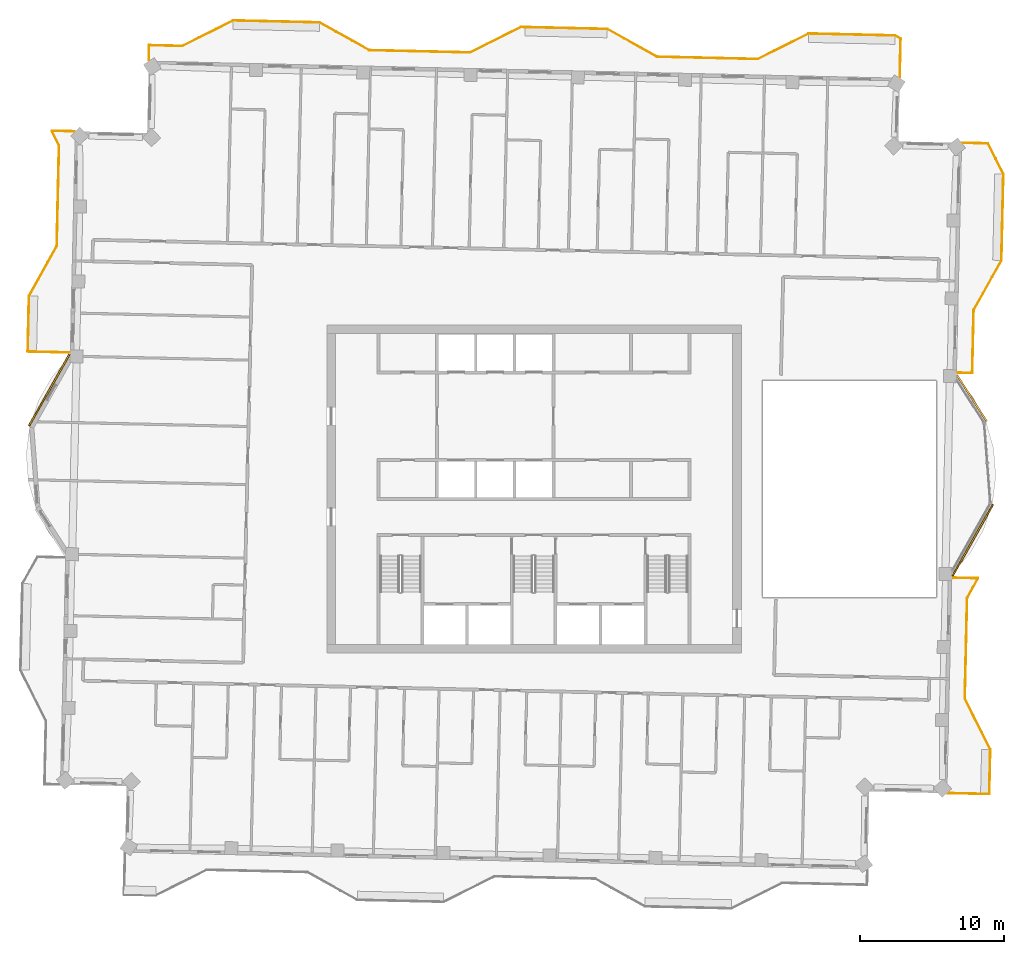
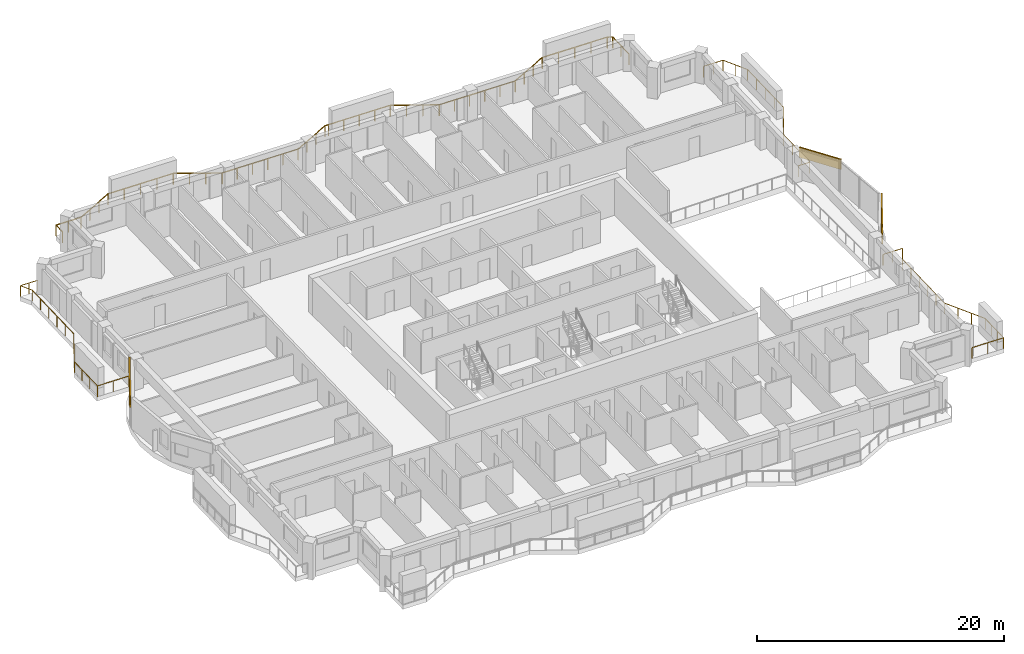
# One storey, part 15 of 15: 4 railings, 3 coverings.
"""IFC4 building model written with IfcOpenShell, lengths in metres."""

from ifc_helpers import new_model, si_unit, direction, frame, frame_2d, origin, origin_2d, place, context, subcontext, project, spatial, rectangle, extrude, material, layer, layer_set, type_object, element, save


model = new_model("IFC4")

# Units and contexts
model_context = context("Model", 3, precision=1e-05, world=origin(), true_north=direction((0.0, 1.0)))
body_context = subcontext(model_context, "Body", "Model", "MODEL_VIEW")
ifc_project = project(units=[si_unit("LENGTHUNIT", "METRE"), si_unit("AREAUNIT", "SQUARE_METRE"), si_unit("VOLUMEUNIT", "CUBIC_METRE"), si_unit("PLANEANGLEUNIT", "RADIAN"), si_unit("MASSUNIT", "GRAM", prefix="KILO")], contexts=[model_context])

# Site, building, storey
site_placement = place(None, origin())
site = spatial("IfcSite", under=ifc_project, at=site_placement, CompositionType="ELEMENT")
building_placement = place(site_placement, origin())
building = spatial("IfcBuilding", under=site, at=building_placement, Name="Mangrove Gate Tower", CompositionType="ELEMENT")
storey_placement = place(building_placement, frame((0.0, 0.0, 309.699951171875)))
storey = spatial("IfcBuildingStorey", under=building, at=storey_placement, Name="L79", CompositionType="ELEMENT", Elevation=309.699951171875)

# Railings
ifc_material_1 = material(Name="Stainless steel grade 316 with laminated glass infill", Category="steel")
railing_type = type_object("IfcRailingType", Name="Balcony guard 1100", PredefinedType="GUARDRAIL", material=ifc_material_1)
railing_1_placement = place(storey_placement, frame((28.73095703125, -21.14404296875, 0.0)))
element("IfcRailing", 1, at=railing_1_placement, inside=storey, type_object=railing_type, Name="GUARD L79 E1", PredefinedType="GUARDRAIL", context=body_context, shape_type="SweptSolid", body=[
    extrude(rectangle(XDim=0.048095703125, YDim=0.048095703125, at=origin_2d()), frame((0.0, 0.0, 1.076171875), z_axis=(0.999743349437, -0.022654696127, 0.0), x_axis=(0.022654696127, 0.999743349437, 0.0)), (0.0, 0.0, 1.0), 2.90966796875),
    extrude(rectangle(XDim=0.048095703125, YDim=0.048095703125, at=origin_2d()), frame((2.908935546875, -0.06591796875, 1.076171875), z_axis=(0.022605110173, 0.99974447185, 0.0), x_axis=(-0.99974447185, 0.022605110173, 0.0)), (0.0, 0.0, 1.0), 3.099609375),
    extrude(rectangle(XDim=0.048095703125, YDim=0.048095703125, at=origin_2d()), frame((2.97900390625, 3.032958984375, 1.076171875), z_axis=(-0.447114919141, 0.894476522376, 0.0), x_axis=(-0.894476522376, -0.447114919141, 0.0)), (0.0, 0.0, 1.0), 3.958740234375),
    extrude(rectangle(XDim=0.048095703125, YDim=0.048095703125, at=origin_2d()), frame((1.208984375, 6.573974609375, 1.076171875), z_axis=(0.022737248567, 0.999741475346, 0.0), x_axis=(-0.999741475346, 0.022737248567, 0.0)), (0.0, 0.0, 1.0), 7.000732421875),
    extrude(rectangle(XDim=0.048095703125, YDim=0.048095703125, at=origin_2d()), frame((1.3681640625, 13.572998046875, 1.076171875), z_axis=(0.487588976065, 0.873073301859, 0.0), x_axis=(-0.873073301859, 0.487588976065, 0.0)), (0.0, 0.0, 1.0), 1.55419921875),
    extrude(rectangle(XDim=0.048095703125, YDim=0.048095703125, at=origin_2d()), frame((2.1259765625, 14.929931640625, 1.076171875), z_axis=(-0.999736662021, 0.02294791081, 0.0), x_axis=(-0.02294791081, -0.999736662021, 0.0)), (0.0, 0.0, 1.0), 1.787353515625),
    extrude(rectangle(XDim=0.0419921875, YDim=0.0419921875, at=origin_2d()), origin(), (0.0, 0.0, 1.0), 1.052001953125),
    extrude(rectangle(XDim=0.0419921875, YDim=0.0419921875, at=origin_2d()), frame((1.45458984375, -0.032958984375, 0.0)), (0.0, 0.0, 1.0), 1.052001953125),
    extrude(rectangle(XDim=0.0419921875, YDim=0.0419921875, at=origin_2d()), frame((2.908935546875, -0.06591796875, 0.0)), (0.0, 0.0, 1.0), 1.052001953125),
    extrude(rectangle(XDim=0.0419921875, YDim=0.0419921875, at=origin_2d()), frame((2.932373046875, 0.967041015625, 0.0)), (0.0, 0.0, 1.0), 1.052001953125),
    extrude(rectangle(XDim=0.0419921875, YDim=0.0419921875, at=origin_2d()), frame((2.95556640625, 2.0, 0.0)), (0.0, 0.0, 1.0), 1.052001953125),
    extrude(rectangle(XDim=0.0419921875, YDim=0.0419921875, at=origin_2d()), frame((2.97900390625, 3.032958984375, 0.0)), (0.0, 0.0, 1.0), 1.052001953125),
    extrude(rectangle(XDim=0.0419921875, YDim=0.0419921875, at=origin_2d()), frame((2.388916015625, 4.21337890625, 0.0)), (0.0, 0.0, 1.0), 1.052001953125),
    extrude(rectangle(XDim=0.0419921875, YDim=0.0419921875, at=origin_2d()), frame((1.799072265625, 5.3935546875, 0.0)), (0.0, 0.0, 1.0), 1.052001953125),
    extrude(rectangle(XDim=0.0419921875, YDim=0.0419921875, at=origin_2d()), frame((1.208984375, 6.573974609375, 0.0)), (0.0, 0.0, 1.0), 1.052001953125),
    extrude(rectangle(XDim=0.0419921875, YDim=0.0419921875, at=origin_2d()), frame((1.24072265625, 7.973876953125, 0.0)), (0.0, 0.0, 1.0), 1.052001953125),
    extrude(rectangle(XDim=0.0419921875, YDim=0.0419921875, at=origin_2d()), frame((1.272705078125, 9.37353515625, 0.0)), (0.0, 0.0, 1.0), 1.052001953125),
    extrude(rectangle(XDim=0.0419921875, YDim=0.0419921875, at=origin_2d()), frame((1.304443359375, 10.7734375, 0.0)), (0.0, 0.0, 1.0), 1.052001953125),
    extrude(rectangle(XDim=0.0419921875, YDim=0.0419921875, at=origin_2d()), frame((1.33642578125, 12.173095703125, 0.0)), (0.0, 0.0, 1.0), 1.052001953125),
    extrude(rectangle(XDim=0.0419921875, YDim=0.0419921875, at=origin_2d()), frame((1.3681640625, 13.572998046875, 0.0)), (0.0, 0.0, 1.0), 1.052001953125),
    extrude(rectangle(XDim=0.0419921875, YDim=0.0419921875, at=origin_2d()), frame((1.7470703125, 14.25146484375, 0.0)), (0.0, 0.0, 1.0), 1.052001953125),
    extrude(rectangle(XDim=0.0419921875, YDim=0.0419921875, at=origin_2d()), frame((2.1259765625, 14.929931640625, 0.0)), (0.0, 0.0, 1.0), 1.052001953125),
    extrude(rectangle(XDim=0.0419921875, YDim=0.0419921875, at=origin_2d()), frame((1.232421875, 14.950439453125, 0.0)), (0.0, 0.0, 1.0), 1.052001953125),
    extrude(rectangle(XDim=0.0419921875, YDim=0.0419921875, at=origin_2d()), frame((0.339111328125, 14.970947265625, 0.0)), (0.0, 0.0, 1.0), 1.052001953125),
])
railing_2_placement = place(storey_placement, frame((29.39404296875, 8.073974609375, 0.0)))
element("IfcRailing", 2, at=railing_2_placement, inside=storey, type_object=railing_type, Name="GUARD L79 E2", PredefinedType="GUARDRAIL", context=body_context, shape_type="SweptSolid", body=[
    extrude(rectangle(XDim=0.048095703125, YDim=0.048095703125, at=origin_2d()), frame((0.0, 0.0, 1.076171875), z_axis=(0.999744802133, -0.022590498181, 0.0), x_axis=(0.022590498181, 0.999744802133, 0.0)), (0.0, 0.0, 1.0), 1.05908203125),
    extrude(rectangle(XDim=0.048095703125, YDim=0.048095703125, at=origin_2d()), frame((1.058837890625, -0.02392578125, 1.076171875), z_axis=(0.022883688867, 0.999738134105, 0.0), x_axis=(-0.999738134105, 0.022883688867, 0.0)), (0.0, 0.0, 1.0), 4.374267578125),
    extrude(rectangle(XDim=0.048095703125, YDim=0.048095703125, at=origin_2d()), frame((1.158935546875, 4.34912109375, 1.076171875), z_axis=(0.487155136876, 0.873315448515, 0.0), x_axis=(-0.873315448515, 0.487155136876, 0.0)), (0.0, 0.0, 1.0), 3.959716796875),
    extrude(rectangle(XDim=0.048095703125, YDim=0.048095703125, at=origin_2d()), frame((3.087890625, 7.80712890625, 1.076171875), z_axis=(0.022666865795, 0.999743073592, 0.0), x_axis=(-0.999743073592, 0.022666865795, 0.0)), (0.0, 0.0, 1.0), 5.999267578125),
    extrude(rectangle(XDim=0.048095703125, YDim=0.048095703125, at=origin_2d()), frame((3.223876953125, 13.804931640625, 1.076171875), z_axis=(-0.447049156069, 0.894509391822, 0.0), x_axis=(-0.894509391822, -0.447049156069, 0.0)), (0.0, 0.0, 1.0), 2.37548828125),
    extrude(rectangle(XDim=0.048095703125, YDim=0.048095703125, at=origin_2d()), frame((2.161865234375, 15.929931640625, 1.076171875), z_axis=(-0.999752642043, 0.022240834685, 0.0), x_axis=(-0.022240834685, -0.999752642043, 0.0)), (0.0, 0.0, 1.0), 1.80029296875),
    extrude(rectangle(XDim=0.0419921875, YDim=0.0419921875, at=origin_2d()), origin(), (0.0, 0.0, 1.0), 1.052001953125),
    extrude(rectangle(XDim=0.0419921875, YDim=0.0419921875, at=origin_2d()), frame((1.058837890625, -0.02392578125, 0.0)), (0.0, 0.0, 1.0), 1.052001953125),
    extrude(rectangle(XDim=0.0419921875, YDim=0.0419921875, at=origin_2d()), frame((1.09228515625, 1.433837890625, 0.0)), (0.0, 0.0, 1.0), 1.052001953125),
    extrude(rectangle(XDim=0.0419921875, YDim=0.0419921875, at=origin_2d()), frame((1.12548828125, 2.891357421875, 0.0)), (0.0, 0.0, 1.0), 1.052001953125),
    extrude(rectangle(XDim=0.0419921875, YDim=0.0419921875, at=origin_2d()), frame((1.158935546875, 4.34912109375, 0.0)), (0.0, 0.0, 1.0), 1.052001953125),
    extrude(rectangle(XDim=0.0419921875, YDim=0.0419921875, at=origin_2d()), frame((1.802001953125, 5.501708984375, 0.0)), (0.0, 0.0, 1.0), 1.052001953125),
    extrude(rectangle(XDim=0.0419921875, YDim=0.0419921875, at=origin_2d()), frame((2.44482421875, 6.654541015625, 0.0)), (0.0, 0.0, 1.0), 1.052001953125),
    extrude(rectangle(XDim=0.0419921875, YDim=0.0419921875, at=origin_2d()), frame((3.087890625, 7.80712890625, 0.0)), (0.0, 0.0, 1.0), 1.052001953125),
    extrude(rectangle(XDim=0.0419921875, YDim=0.0419921875, at=origin_2d()), frame((3.121826171875, 9.306640625, 0.0)), (0.0, 0.0, 1.0), 1.052001953125),
    extrude(rectangle(XDim=0.0419921875, YDim=0.0419921875, at=origin_2d()), frame((3.15576171875, 10.80615234375, 0.0)), (0.0, 0.0, 1.0), 1.052001953125),
    extrude(rectangle(XDim=0.0419921875, YDim=0.0419921875, at=origin_2d()), frame((3.18994140625, 12.305419921875, 0.0)), (0.0, 0.0, 1.0), 1.052001953125),
    extrude(rectangle(XDim=0.0419921875, YDim=0.0419921875, at=origin_2d()), frame((3.223876953125, 13.804931640625, 0.0)), (0.0, 0.0, 1.0), 1.052001953125),
    extrude(rectangle(XDim=0.0419921875, YDim=0.0419921875, at=origin_2d()), frame((2.69287109375, 14.867431640625, 0.0)), (0.0, 0.0, 1.0), 1.052001953125),
    extrude(rectangle(XDim=0.0419921875, YDim=0.0419921875, at=origin_2d()), frame((2.161865234375, 15.929931640625, 0.0)), (0.0, 0.0, 1.0), 1.052001953125),
    extrude(rectangle(XDim=0.0419921875, YDim=0.0419921875, at=origin_2d()), frame((1.261962890625, 15.949951171875, 0.0)), (0.0, 0.0, 1.0), 1.052001953125),
    extrude(rectangle(XDim=0.0419921875, YDim=0.0419921875, at=origin_2d()), frame((0.362060546875, 15.969970703125, 0.0)), (0.0, 0.0, 1.0), 1.052001953125),
])
railing_3_placement = place(storey_placement, frame((25.41796875, 28.583984375, 0.0)))
element("IfcRailing", 3, at=railing_3_placement, inside=storey, type_object=railing_type, Name="GUARD L79 N1", PredefinedType="GUARDRAIL", context=body_context, shape_type="SweptSolid", body=[
    extrude(rectangle(XDim=0.048095703125, YDim=0.048095703125, at=origin_2d()), frame((0.0, 0.0, 1.076171875), z_axis=(0.022616600579, 0.999744211975, 0.0), x_axis=(-0.999744211975, 0.022616600579, 0.0)), (0.0, 0.0, 1.0), 2.69873046875),
    extrude(rectangle(XDim=0.048095703125, YDim=0.048095703125, at=origin_2d()), frame((0.06103515625, 2.697998046875, 1.076171875), z_axis=(-0.873672905931, 0.486513775182, 0.0), x_axis=(-0.486513775182, -0.873672905931, 0.0)), (0.0, 0.0, 1.0), 0.4521484375),
    extrude(rectangle(XDim=0.048095703125, YDim=0.048095703125, at=origin_2d()), frame((-0.333984375, 2.91796875, 1.076171875), z_axis=(-0.999743094499, 0.022665943652, 0.0), x_axis=(-0.022665943652, -0.999743094499, 0.0)), (0.0, 0.0, 1.0), 5.99951171875),
    extrude(rectangle(XDim=0.048095703125, YDim=0.048095703125, at=origin_2d()), frame((-6.33203125, 3.053955078125, 1.076171875), z_axis=(-0.894476522376, -0.447114919141, 0.0), x_axis=(0.447114919141, -0.894476522376, 0.0)), (0.0, 0.0, 1.0), 3.958740234375),
    extrude(rectangle(XDim=0.048095703125, YDim=0.048095703125, at=origin_2d()), frame((-9.873046875, 1.283935546875, 1.076171875), z_axis=(-0.999741475346, 0.022737248567, 0.0), x_axis=(-0.022737248567, -0.999741475346, 0.0)), (0.0, 0.0, 1.0), 7.000732421875),
    extrude(rectangle(XDim=0.048095703125, YDim=0.048095703125, at=origin_2d()), frame((-16.8720703125, 1.443115234375, 1.076171875), z_axis=(-0.873242256246, 0.487286324359, 0.0), x_axis=(-0.487286324359, -0.873242256246, 0.0)), (0.0, 0.0, 1.0), 3.95849609375),
    extrude(rectangle(XDim=0.048095703125, YDim=0.048095703125, at=origin_2d()), frame((-20.328857421875, 3.3720703125, 1.076171875), z_axis=(-0.999744196375, 0.022617290187, 0.0), x_axis=(-0.022617290187, -0.999744196375, 0.0)), (0.0, 0.0, 1.0), 5.699462890625),
    extrude(rectangle(XDim=0.048095703125, YDim=0.048095703125, at=origin_2d()), frame((-26.02685546875, 3.5009765625, 1.076171875), z_axis=(-0.999721720687, 0.023589853458, 0.0), x_axis=(-0.023589853458, -0.999721720687, 0.0)), (0.0, 0.0, 1.0), 0.300048828125),
    extrude(rectangle(XDim=0.048095703125, YDim=0.048095703125, at=origin_2d()), frame((-26.326904296875, 3.508056640625, 1.076171875), z_axis=(-0.894476522376, -0.447114919141, 0.0), x_axis=(0.447114919141, -0.894476522376, 0.0)), (0.0, 0.0, 1.0), 3.958740234375),
    extrude(rectangle(XDim=0.048095703125, YDim=0.048095703125, at=origin_2d()), frame((-29.867919921875, 1.738037109375, 1.076171875), z_axis=(-0.999742267452, 0.022702393474, 0.0), x_axis=(-0.022702393474, -0.999742267452, 0.0)), (0.0, 0.0, 1.0), 7.000732421875),
    extrude(rectangle(XDim=0.048095703125, YDim=0.048095703125, at=origin_2d()), frame((-36.866943359375, 1.89697265625, 1.076171875), z_axis=(-0.87325689943, 0.48726008209, 0.0), x_axis=(-0.48726008209, -0.87325689943, 0.0)), (0.0, 0.0, 1.0), 3.958740234375),
    extrude(rectangle(XDim=0.048095703125, YDim=0.048095703125, at=origin_2d()), frame((-40.323974609375, 3.825927734375, 1.076171875), z_axis=(-0.999743094499, 0.022665943652, 0.0), x_axis=(-0.022665943652, -0.999743094499, 0.0)), (0.0, 0.0, 1.0), 5.99951171875),
    extrude(rectangle(XDim=0.048095703125, YDim=0.048095703125, at=origin_2d()), frame((-46.322021484375, 3.9619140625, 1.076171875), z_axis=(-0.894476522376, -0.447114919141, 0.0), x_axis=(0.447114919141, -0.894476522376, 0.0)), (0.0, 0.0, 1.0), 3.958740234375),
    extrude(rectangle(XDim=0.048095703125, YDim=0.048095703125, at=origin_2d()), frame((-49.863037109375, 2.19189453125, 1.076171875), z_axis=(-0.999744513037, 0.022603288534, 0.0), x_axis=(-0.022603288534, -0.999744513037, 0.0)), (0.0, 0.0, 1.0), 2.300537109375),
    extrude(rectangle(XDim=0.048095703125, YDim=0.048095703125, at=origin_2d()), frame((-52.1630859375, 2.243896484375, 1.076171875), z_axis=(-0.021648921828, -0.999765634628, 0.0), x_axis=(0.999765634628, -0.021648921828, 0.0)), (0.0, 0.0, 1.0), 1.06005859375),
    extrude(rectangle(XDim=0.0419921875, YDim=0.0419921875, at=origin_2d()), origin(), (0.0, 0.0, 1.0), 1.052001953125),
    extrude(rectangle(XDim=0.0419921875, YDim=0.0419921875, at=origin_2d()), frame((0.030517578125, 1.34912109375, 0.0)), (0.0, 0.0, 1.0), 1.052001953125),
    extrude(rectangle(XDim=0.0419921875, YDim=0.0419921875, at=origin_2d()), frame((0.06103515625, 2.697998046875, 0.0)), (0.0, 0.0, 1.0), 1.052001953125),
    extrude(rectangle(XDim=0.0419921875, YDim=0.0419921875, at=origin_2d()), frame((-0.333984375, 2.91796875, 0.0)), (0.0, 0.0, 1.0), 1.052001953125),
    extrude(rectangle(XDim=0.0419921875, YDim=0.0419921875, at=origin_2d()), frame((-1.83349609375, 2.951904296875, 0.0)), (0.0, 0.0, 1.0), 1.052001953125),
    extrude(rectangle(XDim=0.0419921875, YDim=0.0419921875, at=origin_2d()), frame((-3.3330078125, 2.98583984375, 0.0)), (0.0, 0.0, 1.0), 1.052001953125),
    extrude(rectangle(XDim=0.0419921875, YDim=0.0419921875, at=origin_2d()), frame((-4.83251953125, 3.02001953125, 0.0)), (0.0, 0.0, 1.0), 1.052001953125),
    extrude(rectangle(XDim=0.0419921875, YDim=0.0419921875, at=origin_2d()), frame((-6.33203125, 3.053955078125, 0.0)), (0.0, 0.0, 1.0), 1.052001953125),
    extrude(rectangle(XDim=0.0419921875, YDim=0.0419921875, at=origin_2d()), frame((-7.512451171875, 2.4638671875, 0.0)), (0.0, 0.0, 1.0), 1.052001953125),
    extrude(rectangle(XDim=0.0419921875, YDim=0.0419921875, at=origin_2d()), frame((-8.692626953125, 1.8740234375, 0.0)), (0.0, 0.0, 1.0), 1.052001953125),
    extrude(rectangle(XDim=0.0419921875, YDim=0.0419921875, at=origin_2d()), frame((-9.873046875, 1.283935546875, 0.0)), (0.0, 0.0, 1.0), 1.052001953125),
    extrude(rectangle(XDim=0.0419921875, YDim=0.0419921875, at=origin_2d()), frame((-11.27294921875, 1.315673828125, 0.0)), (0.0, 0.0, 1.0), 1.052001953125),
    extrude(rectangle(XDim=0.0419921875, YDim=0.0419921875, at=origin_2d()), frame((-12.672607421875, 1.34765625, 0.0)), (0.0, 0.0, 1.0), 1.052001953125),
    extrude(rectangle(XDim=0.0419921875, YDim=0.0419921875, at=origin_2d()), frame((-14.072509765625, 1.37939453125, 0.0)), (0.0, 0.0, 1.0), 1.052001953125),
    extrude(rectangle(XDim=0.0419921875, YDim=0.0419921875, at=origin_2d()), frame((-15.47216796875, 1.411376953125, 0.0)), (0.0, 0.0, 1.0), 1.052001953125),
    extrude(rectangle(XDim=0.0419921875, YDim=0.0419921875, at=origin_2d()), frame((-16.8720703125, 1.443115234375, 0.0)), (0.0, 0.0, 1.0), 1.052001953125),
    extrude(rectangle(XDim=0.0419921875, YDim=0.0419921875, at=origin_2d()), frame((-18.0244140625, 2.086181640625, 0.0)), (0.0, 0.0, 1.0), 1.052001953125),
    extrude(rectangle(XDim=0.0419921875, YDim=0.0419921875, at=origin_2d()), frame((-19.176513671875, 2.72900390625, 0.0)), (0.0, 0.0, 1.0), 1.052001953125),
    extrude(rectangle(XDim=0.0419921875, YDim=0.0419921875, at=origin_2d()), frame((-20.328857421875, 3.3720703125, 0.0)), (0.0, 0.0, 1.0), 1.052001953125),
    extrude(rectangle(XDim=0.0419921875, YDim=0.0419921875, at=origin_2d()), frame((-21.75341796875, 3.404296875, 0.0)), (0.0, 0.0, 1.0), 1.052001953125),
    extrude(rectangle(XDim=0.0419921875, YDim=0.0419921875, at=origin_2d()), frame((-23.177734375, 3.4365234375, 0.0)), (0.0, 0.0, 1.0), 1.052001953125),
    extrude(rectangle(XDim=0.0419921875, YDim=0.0419921875, at=origin_2d()), frame((-24.602294921875, 3.46875, 0.0)), (0.0, 0.0, 1.0), 1.052001953125),
    extrude(rectangle(XDim=0.0419921875, YDim=0.0419921875, at=origin_2d()), frame((-26.02685546875, 3.5009765625, 0.0)), (0.0, 0.0, 1.0), 1.052001953125),
    extrude(rectangle(XDim=0.0419921875, YDim=0.0419921875, at=origin_2d()), frame((-26.326904296875, 3.508056640625, 0.0)), (0.0, 0.0, 1.0), 1.052001953125),
    extrude(rectangle(XDim=0.0419921875, YDim=0.0419921875, at=origin_2d()), frame((-27.50732421875, 2.91796875, 0.0)), (0.0, 0.0, 1.0), 1.052001953125),
    extrude(rectangle(XDim=0.0419921875, YDim=0.0419921875, at=origin_2d()), frame((-28.6875, 2.328125, 0.0)), (0.0, 0.0, 1.0), 1.052001953125),
    extrude(rectangle(XDim=0.0419921875, YDim=0.0419921875, at=origin_2d()), frame((-29.867919921875, 1.738037109375, 0.0)), (0.0, 0.0, 1.0), 1.052001953125),
    extrude(rectangle(XDim=0.0419921875, YDim=0.0419921875, at=origin_2d()), frame((-31.267822265625, 1.769775390625, 0.0)), (0.0, 0.0, 1.0), 1.052001953125),
    extrude(rectangle(XDim=0.0419921875, YDim=0.0419921875, at=origin_2d()), frame((-32.66748046875, 1.801513671875, 0.0)), (0.0, 0.0, 1.0), 1.052001953125),
    extrude(rectangle(XDim=0.0419921875, YDim=0.0419921875, at=origin_2d()), frame((-34.0673828125, 1.83349609375, 0.0)), (0.0, 0.0, 1.0), 1.052001953125),
    extrude(rectangle(XDim=0.0419921875, YDim=0.0419921875, at=origin_2d()), frame((-35.467041015625, 1.865234375, 0.0)), (0.0, 0.0, 1.0), 1.052001953125),
    extrude(rectangle(XDim=0.0419921875, YDim=0.0419921875, at=origin_2d()), frame((-36.866943359375, 1.89697265625, 0.0)), (0.0, 0.0, 1.0), 1.052001953125),
    extrude(rectangle(XDim=0.0419921875, YDim=0.0419921875, at=origin_2d()), frame((-38.019287109375, 2.5400390625, 0.0)), (0.0, 0.0, 1.0), 1.052001953125),
    extrude(rectangle(XDim=0.0419921875, YDim=0.0419921875, at=origin_2d()), frame((-39.171630859375, 3.182861328125, 0.0)), (0.0, 0.0, 1.0), 1.052001953125),
    extrude(rectangle(XDim=0.0419921875, YDim=0.0419921875, at=origin_2d()), frame((-40.323974609375, 3.825927734375, 0.0)), (0.0, 0.0, 1.0), 1.052001953125),
    extrude(rectangle(XDim=0.0419921875, YDim=0.0419921875, at=origin_2d()), frame((-41.823486328125, 3.85986328125, 0.0)), (0.0, 0.0, 1.0), 1.052001953125),
    extrude(rectangle(XDim=0.0419921875, YDim=0.0419921875, at=origin_2d()), frame((-43.322998046875, 3.89404296875, 0.0)), (0.0, 0.0, 1.0), 1.052001953125),
    extrude(rectangle(XDim=0.0419921875, YDim=0.0419921875, at=origin_2d()), frame((-44.822509765625, 3.927978515625, 0.0)), (0.0, 0.0, 1.0), 1.052001953125),
    extrude(rectangle(XDim=0.0419921875, YDim=0.0419921875, at=origin_2d()), frame((-46.322021484375, 3.9619140625, 0.0)), (0.0, 0.0, 1.0), 1.052001953125),
    extrude(rectangle(XDim=0.0419921875, YDim=0.0419921875, at=origin_2d()), frame((-47.50244140625, 3.371826171875, 0.0)), (0.0, 0.0, 1.0), 1.052001953125),
    extrude(rectangle(XDim=0.0419921875, YDim=0.0419921875, at=origin_2d()), frame((-48.6826171875, 2.781982421875, 0.0)), (0.0, 0.0, 1.0), 1.052001953125),
    extrude(rectangle(XDim=0.0419921875, YDim=0.0419921875, at=origin_2d()), frame((-49.863037109375, 2.19189453125, 0.0)), (0.0, 0.0, 1.0), 1.052001953125),
    extrude(rectangle(XDim=0.0419921875, YDim=0.0419921875, at=origin_2d()), frame((-51.01318359375, 2.2177734375, 0.0)), (0.0, 0.0, 1.0), 1.052001953125),
    extrude(rectangle(XDim=0.0419921875, YDim=0.0419921875, at=origin_2d()), frame((-52.1630859375, 2.243896484375, 0.0)), (0.0, 0.0, 1.0), 1.052001953125),
    extrude(rectangle(XDim=0.0419921875, YDim=0.0419921875, at=origin_2d()), frame((-52.18603515625, 1.18408203125, 0.0)), (0.0, 0.0, 1.0), 1.052001953125),
])
railing_4_placement = place(storey_placement, frame((-31.922119140625, 24.843994140625, 0.0)))
element("IfcRailing", 4, at=railing_4_placement, inside=storey, type_object=railing_type, Name="GUARD L79 W1", PredefinedType="GUARDRAIL", context=body_context, shape_type="SweptSolid", body=[
    extrude(rectangle(XDim=0.048095703125, YDim=0.048095703125, at=origin_2d()), frame((0.0, 0.0, 1.076171875), z_axis=(-0.999744684453, 0.022595705507, 0.0), x_axis=(-0.022595705507, -0.999744684453, 0.0)), (0.0, 0.0, 1.0), 1.58837890625),
    extrude(rectangle(XDim=0.048095703125, YDim=0.048095703125, at=origin_2d()), frame((-1.587890625, 0.035888671875, 1.076171875), z_axis=(0.447299903095, -0.894384031997, 0.0), x_axis=(0.894384031997, 0.447299903095, 0.0)), (0.0, 0.0, 1.0), 1.13134765625),
    extrude(rectangle(XDim=0.048095703125, YDim=0.048095703125, at=origin_2d()), frame((-1.081787109375, -0.97607421875, 1.076171875), z_axis=(-0.022741212823, -0.999741385179, 0.0), x_axis=(0.999741385179, -0.022741212823, 0.0)), (0.0, 0.0, 1.0), 6.99951171875),
    extrude(rectangle(XDim=0.048095703125, YDim=0.048095703125, at=origin_2d()), frame((-1.240966796875, -7.973876953125, 1.076171875), z_axis=(-0.48726008209, -0.87325689943, 0.0), x_axis=(0.87325689943, -0.48726008209, 0.0)), (0.0, 0.0, 1.0), 3.958740234375),
    extrude(rectangle(XDim=0.048095703125, YDim=0.048095703125, at=origin_2d()), frame((-3.169921875, -11.430908203125, 1.076171875), z_axis=(-0.022681332769, -0.999742745482, 0.0), x_axis=(0.999742745482, -0.022681332769, 0.0)), (0.0, 0.0, 1.0), 3.875),
    extrude(rectangle(XDim=0.048095703125, YDim=0.048095703125, at=origin_2d()), frame((-3.2578125, -15.304931640625, 1.076171875), z_axis=(0.999741618984, -0.02273093202, 0.0), x_axis=(0.02273093202, 0.999741618984, 0.0)), (0.0, 0.0, 1.0), 2.91064453125),
    extrude(rectangle(XDim=0.0419921875, YDim=0.0419921875, at=origin_2d()), origin(), (0.0, 0.0, 1.0), 1.052001953125),
    extrude(rectangle(XDim=0.0419921875, YDim=0.0419921875, at=origin_2d()), frame((-0.7939453125, 0.01806640625, 0.0)), (0.0, 0.0, 1.0), 1.052001953125),
    extrude(rectangle(XDim=0.0419921875, YDim=0.0419921875, at=origin_2d()), frame((-1.587890625, 0.035888671875, 0.0)), (0.0, 0.0, 1.0), 1.052001953125),
    extrude(rectangle(XDim=0.0419921875, YDim=0.0419921875, at=origin_2d()), frame((-1.081787109375, -0.97607421875, 0.0)), (0.0, 0.0, 1.0), 1.052001953125),
    extrude(rectangle(XDim=0.0419921875, YDim=0.0419921875, at=origin_2d()), frame((-1.113525390625, -2.375732421875, 0.0)), (0.0, 0.0, 1.0), 1.052001953125),
    extrude(rectangle(XDim=0.0419921875, YDim=0.0419921875, at=origin_2d()), frame((-1.1455078125, -3.775146484375, 0.0)), (0.0, 0.0, 1.0), 1.052001953125),
    extrude(rectangle(XDim=0.0419921875, YDim=0.0419921875, at=origin_2d()), frame((-1.17724609375, -5.1748046875, 0.0)), (0.0, 0.0, 1.0), 1.052001953125),
    extrude(rectangle(XDim=0.0419921875, YDim=0.0419921875, at=origin_2d()), frame((-1.209228515625, -6.57421875, 0.0)), (0.0, 0.0, 1.0), 1.052001953125),
    extrude(rectangle(XDim=0.0419921875, YDim=0.0419921875, at=origin_2d()), frame((-1.240966796875, -7.973876953125, 0.0)), (0.0, 0.0, 1.0), 1.052001953125),
    extrude(rectangle(XDim=0.0419921875, YDim=0.0419921875, at=origin_2d()), frame((-1.884033203125, -9.126220703125, 0.0)), (0.0, 0.0, 1.0), 1.052001953125),
    extrude(rectangle(XDim=0.0419921875, YDim=0.0419921875, at=origin_2d()), frame((-2.52685546875, -10.278564453125, 0.0)), (0.0, 0.0, 1.0), 1.052001953125),
    extrude(rectangle(XDim=0.0419921875, YDim=0.0419921875, at=origin_2d()), frame((-3.169921875, -11.430908203125, 0.0)), (0.0, 0.0, 1.0), 1.052001953125),
    extrude(rectangle(XDim=0.0419921875, YDim=0.0419921875, at=origin_2d()), frame((-3.19921875, -12.72216796875, 0.0)), (0.0, 0.0, 1.0), 1.052001953125),
    extrude(rectangle(XDim=0.0419921875, YDim=0.0419921875, at=origin_2d()), frame((-3.228515625, -14.013671875, 0.0)), (0.0, 0.0, 1.0), 1.052001953125),
    extrude(rectangle(XDim=0.0419921875, YDim=0.0419921875, at=origin_2d()), frame((-3.2578125, -15.304931640625, 0.0)), (0.0, 0.0, 1.0), 1.052001953125),
    extrude(rectangle(XDim=0.0419921875, YDim=0.0419921875, at=origin_2d()), frame((-1.802734375, -15.337890625, 0.0)), (0.0, 0.0, 1.0), 1.052001953125),
    extrude(rectangle(XDim=0.0419921875, YDim=0.0419921875, at=origin_2d()), frame((-0.347900390625, -15.37109375, 0.0)), (0.0, 0.0, 1.0), 1.052001953125),
])

# Coverings
ifc_material_2 = material(Name="Limestone", Category="masonry")
ifc_layer_1 = layer(ifc_material_2, 0.0400390625, Name="Limestone cladding")
ifc_material_3 = material(Name="Stainless steel anchors and cavity", Category="steel")
ifc_layer_2 = layer(ifc_material_3, 0.080078125, Name="Fixing cavity")
ifc_layer_set = layer_set([ifc_layer_1, ifc_layer_2], Name="Joint fascia cladding 120")
covering_type = type_object("IfcCoveringType", Name="Joint fascia cladding 120", PredefinedType="CLADDING", material=ifc_layer_set)
covering_1_placement = place(storey_placement, frame((29.083251953125, -6.048828125, 2.050048828125), z_axis=(0.0, 0.0, 1.0), x_axis=(0.492461862622, 0.870334024305, 0.0)))
element("IfcCovering", 5, at=covering_1_placement, inside=storey, type_object=covering_type, Name="STONE FASCIA L79 E1.L1", PredefinedType="CLADDING", context=body_context, shape_type="SweptSolid", body=[
    extrude(rectangle(XDim=5.70556640625, YDim=0.1201171875, at=frame_2d((2.852783203125, 0.0))), origin(), (0.0, 0.0, 1.0), 1.0),
])
covering_2_placement = place(storey_placement, frame((31.4580078125, 4.69091796875, 2.050048828125), z_axis=(0.0, 0.0, 1.0), x_axis=(-0.540573367362, 0.841296876554, 0.0)))
element("IfcCovering", 6, at=covering_2_placement, inside=storey, type_object=covering_type, Name="STONE FASCIA L79 E1.L2", PredefinedType="CLADDING", context=body_context, shape_type="SweptSolid", body=[
    extrude(rectangle(XDim=3.818115234375, YDim=0.1201171875, at=frame_2d((1.9091796875, 0.0))), origin(), (0.0, 0.0, 1.0), 1.0),
])
covering_3_placement = place(storey_placement, frame((-32.283203125, 9.348876953125, 2.050048828125), z_axis=(0.0, 0.0, 1.0), x_axis=(-0.492461862622, -0.870334024305, 0.0)))
element("IfcCovering", 7, at=covering_3_placement, inside=storey, type_object=covering_type, Name="STONE FASCIA L79 W9.L1", PredefinedType="CLADDING", context=body_context, shape_type="SweptSolid", body=[
    extrude(rectangle(XDim=5.70556640625, YDim=0.1201171875, at=frame_2d((2.852783203125, 0.0))), origin(), (0.0, 0.0, 1.0), 1.0),
])

save(model, "model.ifc")
